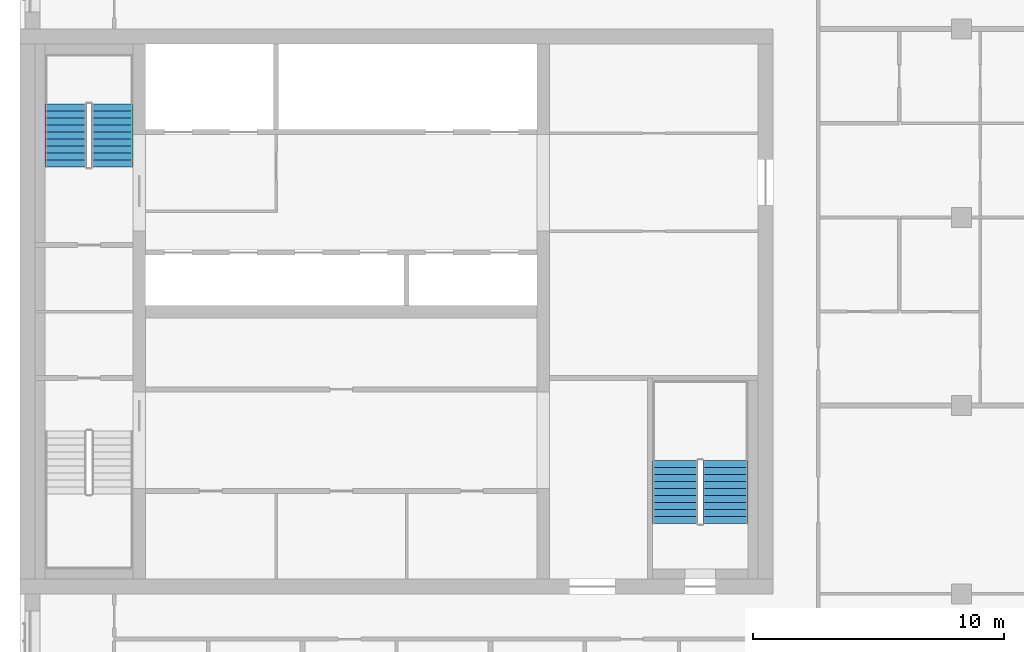
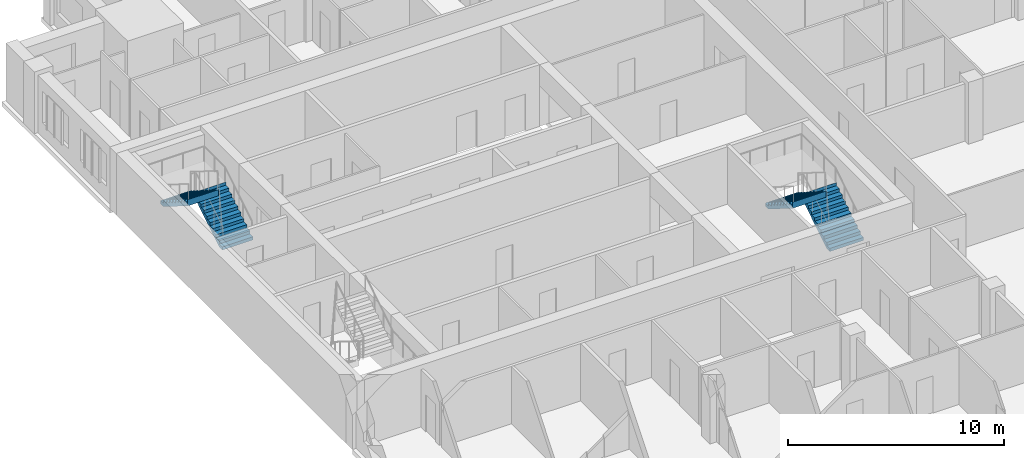
# One storey, part 9 of 10: 4 stair flights, 2 elements without a shape of their own.
"""IFC4 building model written with IfcOpenShell, lengths in metres."""

from ifc_helpers import new_model, si_unit, direction, frame, origin, place, context, subcontext, project, spatial, polyline, outline, extrude, material, type_object, element, aggregate, save


model = new_model("IFC4")

# Units and contexts
model_context = context("Model", 3, precision=1e-05, world=origin(), true_north=direction((0.0, 1.0)))
body_context = subcontext(model_context, "Body", "Model", "MODEL_VIEW")
ifc_project = project(units=[si_unit("LENGTHUNIT", "METRE"), si_unit("AREAUNIT", "SQUARE_METRE"), si_unit("VOLUMEUNIT", "CUBIC_METRE"), si_unit("PLANEANGLEUNIT", "RADIAN"), si_unit("MASSUNIT", "GRAM", prefix="KILO")], contexts=[model_context])

# Site, building, storey
site_placement = place(None, origin())
site = spatial("IfcSite", under=ifc_project, at=site_placement, CompositionType="ELEMENT")
building_placement = place(site_placement, origin())
building = spatial("IfcBuilding", under=site, at=building_placement, Name="Tamorin Gate", CompositionType="ELEMENT")
storey_placement = place(building_placement, frame((0.0, 0.0, 251.199951171875)))
storey = spatial("IfcBuildingStorey", under=building, at=storey_placement, Name="L63", CompositionType="ELEMENT", Elevation=251.199951171875)

# Stair, stair flights
ifc_material = material(Name="Concrete C40/50", Category="concrete")
stair_type = type_object("IfcStairType", Name="Exit stair", PredefinedType="HALF_TURN_STAIR", material=ifc_material)
stair_1_placement = place(storey_placement, origin())
stair_1 = element("IfcStair", 1, at=stair_1_placement, inside=storey, type_object=stair_type, Name="L63 stair ST2", PredefinedType="HALF_TURN_STAIR")
stair_flight_type = type_object("IfcStairFlightType", Name="Exit stair flight", PredefinedType="STRAIGHT", material=ifc_material)
stair_flight_1_placement = place(storey_placement, frame((33.675048828125, 77.0, 0.0), z_axis=(0.0, 0.0, 1.0), x_axis=(0.0, 1.0, 0.0)))
stair_flight_1 = element("IfcStairFlight", 2, at=stair_flight_1_placement, type_object=stair_flight_type, Name="ST2 flight 1", NumberOfRisers=10, NumberOfTreads=9, PredefinedType="STRAIGHT", RiserHeight=0.175, TreadLength=0.28, context=body_context, shape_type="SweptSolid", body=[
    extrude(outline(polyline([(-0.00048828125, 0.0), (-0.00048828125, 0.001708984375), (-0.00048828125, 0.00341796875), (-0.00048828125, 0.005126953125), (-0.00048828125, 0.0068359375), (-0.00048828125, 0.008544921875), (-0.00048828125, 0.010498046875), (-0.00048828125, 0.01220703125), (-0.00048828125, 0.013916015625), (-0.00048828125, 0.015625), (-0.00048828125, 0.017333984375), (-0.00048828125, 0.01904296875), (-0.00048828125, 0.020751953125), (-0.00048828125, 0.0224609375), (-0.00048828125, 0.024169921875), (-0.00048828125, 0.02587890625), (-0.00048828125, 0.02783203125), (-0.00048828125, 0.029541015625), (-0.00048828125, 0.03125), (-0.00048828125, 0.032958984375), (-0.00048828125, 0.03466796875), (-0.00048828125, 0.036376953125), (-0.00048828125, 0.0380859375), (-0.00048828125, 0.039794921875), (-0.00048828125, 0.04150390625), (-0.00048828125, 0.043212890625), (-0.00048828125, 0.045166015625), (-0.00048828125, 0.046875), (-0.00048828125, 0.048583984375), (-0.00048828125, 0.05029296875), (-0.00048828125, 0.052001953125), (-0.00048828125, 0.0537109375), (-0.00048828125, 0.055419921875), (-0.00048828125, 0.05712890625), (-0.00048828125, 0.058837890625), (-0.00048828125, 0.060546875), (-0.00048828125, 0.062255859375), (-0.00048828125, 0.064208984375), (-0.00048828125, 0.06591796875), (-0.00048828125, 0.067626953125), (-0.00048828125, 0.0693359375), (-0.00048828125, 0.071044921875), (-0.00048828125, 0.07275390625), (-0.00048828125, 0.074462890625), (-0.00048828125, 0.076171875), (-0.00048828125, 0.077880859375), (-0.00048828125, 0.07958984375), (-0.00048828125, 0.08154296875), (-0.00048828125, 0.083251953125), (-0.00048828125, 0.0849609375), (-0.00048828125, 0.086669921875), (-0.00048828125, 0.08837890625), (-0.00048828125, 0.090087890625), (-0.00048828125, 0.091796875), (-0.00048828125, 0.093505859375), (-0.00048828125, 0.09521484375), (-0.00048828125, 0.096923828125), (-0.00048828125, 0.098876953125), (-0.00048828125, 0.1005859375), (-0.00048828125, 0.102294921875), (-0.00048828125, 0.10400390625), (-0.00048828125, 0.105712890625), (-0.00048828125, 0.107421875), (-0.00048828125, 0.109130859375), (-0.00048828125, 0.11083984375), (-0.00048828125, 0.112548828125), (-0.00048828125, 0.1142578125), (-0.00048828125, 0.1162109375), (-0.00048828125, 0.117919921875), (-0.00048828125, 0.11962890625), (-0.00048828125, 0.121337890625), (-0.00048828125, 0.123046875), (-0.00048828125, 0.124755859375), (-0.00048828125, 0.12646484375), (-0.00048828125, 0.128173828125), (-0.00048828125, 0.1298828125), (-0.00048828125, 0.131591796875), (-0.00048828125, 0.13330078125), (-0.00048828125, 0.13525390625), (-0.00048828125, 0.136962890625), (-0.00048828125, 0.138671875), (-0.00048828125, 0.140380859375), (-0.00048828125, 0.14208984375), (-0.00048828125, 0.143798828125), (-0.00048828125, 0.1455078125), (-0.00048828125, 0.147216796875), (-0.00048828125, 0.14892578125), (-0.00048828125, 0.150634765625), (-0.00048828125, 0.152587890625), (-0.00048828125, 0.154296875), (-0.00048828125, 0.156005859375), (-0.00048828125, 0.15771484375), (-0.00048828125, 0.159423828125), (-0.00048828125, 0.1611328125), (-0.00048828125, 0.162841796875), (-0.00048828125, 0.16455078125), (-0.00048828125, 0.166259765625), (-0.00048828125, 0.16796875), (-0.00048828125, 0.169921875), (-0.00048828125, 0.171630859375), (-0.00048828125, 0.17333984375), (-0.00048828125, 0.175048828125), (0.280029296875, 0.175048828125), (0.280029296875, 0.35009765625), (0.56005859375, 0.35009765625), (0.56005859375, 0.52490234375), (0.840087890625, 0.52490234375), (0.840087890625, 0.699951171875), (1.1201171875, 0.699951171875), (1.1201171875, 0.875), (1.39990234375, 0.875), (1.39990234375, 1.050048828125), (1.679931640625, 1.050048828125), (1.679931640625, 1.22509765625), (1.9599609375, 1.22509765625), (1.9599609375, 1.39990234375), (2.239990234375, 1.39990234375), (2.239990234375, 1.574951171875), (2.52001953125, 1.574951171875), (2.52001953125, 1.75), (2.5205078125, 1.75), (2.5205078125, 1.74658203125), (2.5205078125, 1.742919921875), (2.5205078125, 1.739501953125), (2.5205078125, 1.736083984375), (2.5205078125, 1.732666015625), (2.5205078125, 1.72900390625), (2.5205078125, 1.7255859375), (2.5205078125, 1.72216796875), (2.5205078125, 1.71875), (2.5205078125, 1.715087890625), (2.5205078125, 1.711669921875), (2.5205078125, 1.708251953125), (2.5205078125, 1.704833984375), (2.5205078125, 1.701171875), (2.5205078125, 1.69775390625), (2.5205078125, 1.6943359375), (2.5205078125, 1.690673828125), (2.5205078125, 1.687255859375), (2.5205078125, 1.683837890625), (2.5205078125, 1.680419921875), (2.5205078125, 1.6767578125), (2.5205078125, 1.67333984375), (2.5205078125, 1.669921875), (2.5205078125, 1.66650390625), (2.5205078125, 1.662841796875), (2.5205078125, 1.659423828125), (2.5205078125, 1.656005859375), (2.5205078125, 1.652587890625), (2.5205078125, 1.64892578125), (2.5205078125, 1.6455078125), (2.5205078125, 1.64208984375), (2.5205078125, 1.638427734375), (2.5205078125, 1.635009765625), (2.5205078125, 1.631591796875), (2.5205078125, 1.628173828125), (2.5205078125, 1.62451171875), (2.5205078125, 1.62109375), (2.5205078125, 1.61767578125), (2.5205078125, 1.6142578125), (2.5205078125, 1.610595703125), (2.5205078125, 1.607177734375), (2.5205078125, 1.603759765625), (2.5205078125, 1.600341796875), (2.5205078125, 1.5966796875), (2.5205078125, 1.59326171875), (2.5205078125, 1.58984375), (2.5205078125, 1.58642578125), (2.5205078125, 1.582763671875), (2.5205078125, 1.579345703125), (2.5205078125, 1.575927734375), (2.5205078125, 1.572265625), (2.5205078125, 1.56884765625), (2.5205078125, 1.5654296875), (2.5205078125, 1.56201171875), (2.5205078125, 1.558349609375), (2.5205078125, 1.554931640625), (2.5205078125, 1.551513671875), (2.5205078125, 1.548095703125), (2.5205078125, 1.54443359375), (2.5205078125, 1.541015625), (2.5205078125, 1.53759765625), (2.5205078125, 1.5341796875), (2.5205078125, 1.530517578125), (2.5205078125, 1.527099609375), (2.5205078125, 1.523681640625), (2.5205078125, 1.52001953125), (2.5205078125, 1.5166015625), (2.5205078125, 1.51318359375), (2.5205078125, 1.509765625), (2.5205078125, 1.506103515625), (2.5205078125, 1.502685546875), (2.5205078125, 1.499267578125), (2.5205078125, 1.495849609375), (2.5205078125, 1.4921875), (2.5205078125, 1.48876953125), (2.5205078125, 1.4853515625), (2.5205078125, 1.48193359375), (2.5205078125, 1.478271484375), (2.5205078125, 1.474853515625), (2.5205078125, 1.471435546875), (2.5205078125, 1.4677734375), (2.5205078125, 1.46435546875), (2.5205078125, 1.4609375), (2.5205078125, 1.45751953125), (2.5205078125, 1.453857421875), (2.5205078125, 1.450439453125), (2.5205078125, 1.447021484375), (2.5205078125, 1.443603515625), (2.5205078125, 1.43994140625), (2.5205078125, 1.4365234375), (2.5205078125, 1.43310546875), (2.5205078125, 1.4296875), (2.5205078125, 1.426025390625), (2.5205078125, 1.422607421875), (2.5205078125, 1.419189453125), (2.5205078125, 1.41552734375), (2.5205078125, 1.412109375), (2.5205078125, 1.40869140625), (2.5205078125, 1.4052734375), (2.5205078125, 1.401611328125), (2.5205078125, 1.398193359375), (2.52001953125, 1.398193359375), (0.28271484375, 0.0), (-0.00048828125, 0.0)])), frame((0.0, 0.824951171875, 0.0), z_axis=(0.0, -1.0, 0.0), x_axis=(1.0, 0.0, 0.0)), (0.0, 0.0, 1.0), 1.64990234375),
])
stair_flight_2_placement = place(storey_placement, frame((31.824951171875, 79.52001953125, 1.75), z_axis=(0.0, 0.0, 1.0), x_axis=(0.0, -1.0, 0.0)))
stair_flight_2 = element("IfcStairFlight", 3, at=stair_flight_2_placement, type_object=stair_flight_type, Name="ST2 flight 2", NumberOfRisers=10, NumberOfTreads=9, PredefinedType="STRAIGHT", RiserHeight=0.175, TreadLength=0.28, context=body_context, shape_type="SweptSolid", body=[
    extrude(outline(polyline([(-0.00048828125, 0.0), (-0.00048828125, 0.001708984375), (-0.00048828125, 0.00341796875), (-0.00048828125, 0.005126953125), (-0.00048828125, 0.0068359375), (-0.00048828125, 0.008544921875), (-0.00048828125, 0.010498046875), (-0.00048828125, 0.01220703125), (-0.00048828125, 0.013916015625), (-0.00048828125, 0.015625), (-0.00048828125, 0.017333984375), (-0.00048828125, 0.01904296875), (-0.00048828125, 0.020751953125), (-0.00048828125, 0.0224609375), (-0.00048828125, 0.024169921875), (-0.00048828125, 0.02587890625), (-0.00048828125, 0.02783203125), (-0.00048828125, 0.029541015625), (-0.00048828125, 0.03125), (-0.00048828125, 0.032958984375), (-0.00048828125, 0.03466796875), (-0.00048828125, 0.036376953125), (-0.00048828125, 0.0380859375), (-0.00048828125, 0.039794921875), (-0.00048828125, 0.04150390625), (-0.00048828125, 0.043212890625), (-0.00048828125, 0.045166015625), (-0.00048828125, 0.046875), (-0.00048828125, 0.048583984375), (-0.00048828125, 0.05029296875), (-0.00048828125, 0.052001953125), (-0.00048828125, 0.0537109375), (-0.00048828125, 0.055419921875), (-0.00048828125, 0.05712890625), (-0.00048828125, 0.058837890625), (-0.00048828125, 0.060546875), (-0.00048828125, 0.062255859375), (-0.00048828125, 0.064208984375), (-0.00048828125, 0.06591796875), (-0.00048828125, 0.067626953125), (-0.00048828125, 0.0693359375), (-0.00048828125, 0.071044921875), (-0.00048828125, 0.07275390625), (-0.00048828125, 0.074462890625), (-0.00048828125, 0.076171875), (-0.00048828125, 0.077880859375), (-0.00048828125, 0.07958984375), (-0.00048828125, 0.08154296875), (-0.00048828125, 0.083251953125), (-0.00048828125, 0.0849609375), (-0.00048828125, 0.086669921875), (-0.00048828125, 0.08837890625), (-0.00048828125, 0.090087890625), (-0.00048828125, 0.091796875), (-0.00048828125, 0.093505859375), (-0.00048828125, 0.09521484375), (-0.00048828125, 0.096923828125), (-0.00048828125, 0.098876953125), (-0.00048828125, 0.1005859375), (-0.00048828125, 0.102294921875), (-0.00048828125, 0.10400390625), (-0.00048828125, 0.105712890625), (-0.00048828125, 0.107421875), (-0.00048828125, 0.109130859375), (-0.00048828125, 0.11083984375), (-0.00048828125, 0.112548828125), (-0.00048828125, 0.1142578125), (-0.00048828125, 0.1162109375), (-0.00048828125, 0.117919921875), (-0.00048828125, 0.11962890625), (-0.00048828125, 0.121337890625), (-0.00048828125, 0.123046875), (-0.00048828125, 0.124755859375), (-0.00048828125, 0.12646484375), (-0.00048828125, 0.128173828125), (-0.00048828125, 0.1298828125), (-0.00048828125, 0.131591796875), (-0.00048828125, 0.13330078125), (-0.00048828125, 0.13525390625), (-0.00048828125, 0.136962890625), (-0.00048828125, 0.138671875), (-0.00048828125, 0.140380859375), (-0.00048828125, 0.14208984375), (-0.00048828125, 0.143798828125), (-0.00048828125, 0.1455078125), (-0.00048828125, 0.147216796875), (-0.00048828125, 0.14892578125), (-0.00048828125, 0.150634765625), (-0.00048828125, 0.152587890625), (-0.00048828125, 0.154296875), (-0.00048828125, 0.156005859375), (-0.00048828125, 0.15771484375), (-0.00048828125, 0.159423828125), (-0.00048828125, 0.1611328125), (-0.00048828125, 0.162841796875), (-0.00048828125, 0.16455078125), (-0.00048828125, 0.166259765625), (-0.00048828125, 0.16796875), (-0.00048828125, 0.169921875), (-0.00048828125, 0.171630859375), (-0.00048828125, 0.17333984375), (-0.00048828125, 0.175048828125), (0.280029296875, 0.175048828125), (0.280029296875, 0.35009765625), (0.56005859375, 0.35009765625), (0.56005859375, 0.52490234375), (0.840087890625, 0.52490234375), (0.840087890625, 0.699951171875), (1.1201171875, 0.699951171875), (1.1201171875, 0.875), (1.39990234375, 0.875), (1.39990234375, 1.050048828125), (1.679931640625, 1.050048828125), (1.679931640625, 1.22509765625), (1.9599609375, 1.22509765625), (1.9599609375, 1.39990234375), (2.239990234375, 1.39990234375), (2.239990234375, 1.574951171875), (2.52001953125, 1.574951171875), (2.52001953125, 1.75), (2.5205078125, 1.75), (2.5205078125, 1.74658203125), (2.5205078125, 1.742919921875), (2.5205078125, 1.739501953125), (2.5205078125, 1.736083984375), (2.5205078125, 1.732666015625), (2.5205078125, 1.72900390625), (2.5205078125, 1.7255859375), (2.5205078125, 1.72216796875), (2.5205078125, 1.71875), (2.5205078125, 1.715087890625), (2.5205078125, 1.711669921875), (2.5205078125, 1.708251953125), (2.5205078125, 1.704833984375), (2.5205078125, 1.701171875), (2.5205078125, 1.69775390625), (2.5205078125, 1.6943359375), (2.5205078125, 1.690673828125), (2.5205078125, 1.687255859375), (2.5205078125, 1.683837890625), (2.5205078125, 1.680419921875), (2.5205078125, 1.6767578125), (2.5205078125, 1.67333984375), (2.5205078125, 1.669921875), (2.5205078125, 1.66650390625), (2.5205078125, 1.662841796875), (2.5205078125, 1.659423828125), (2.5205078125, 1.656005859375), (2.5205078125, 1.652587890625), (2.5205078125, 1.64892578125), (2.5205078125, 1.6455078125), (2.5205078125, 1.64208984375), (2.5205078125, 1.638427734375), (2.5205078125, 1.635009765625), (2.5205078125, 1.631591796875), (2.5205078125, 1.628173828125), (2.5205078125, 1.62451171875), (2.5205078125, 1.62109375), (2.5205078125, 1.61767578125), (2.5205078125, 1.6142578125), (2.5205078125, 1.610595703125), (2.5205078125, 1.607177734375), (2.5205078125, 1.603759765625), (2.5205078125, 1.600341796875), (2.5205078125, 1.5966796875), (2.5205078125, 1.59326171875), (2.5205078125, 1.58984375), (2.5205078125, 1.58642578125), (2.5205078125, 1.582763671875), (2.5205078125, 1.579345703125), (2.5205078125, 1.575927734375), (2.5205078125, 1.572265625), (2.5205078125, 1.56884765625), (2.5205078125, 1.5654296875), (2.5205078125, 1.56201171875), (2.5205078125, 1.558349609375), (2.5205078125, 1.554931640625), (2.5205078125, 1.551513671875), (2.5205078125, 1.548095703125), (2.5205078125, 1.54443359375), (2.5205078125, 1.541015625), (2.5205078125, 1.53759765625), (2.5205078125, 1.5341796875), (2.5205078125, 1.530517578125), (2.5205078125, 1.527099609375), (2.5205078125, 1.523681640625), (2.5205078125, 1.52001953125), (2.5205078125, 1.5166015625), (2.5205078125, 1.51318359375), (2.5205078125, 1.509765625), (2.5205078125, 1.506103515625), (2.5205078125, 1.502685546875), (2.5205078125, 1.499267578125), (2.5205078125, 1.495849609375), (2.5205078125, 1.4921875), (2.5205078125, 1.48876953125), (2.5205078125, 1.4853515625), (2.5205078125, 1.48193359375), (2.5205078125, 1.478271484375), (2.5205078125, 1.474853515625), (2.5205078125, 1.471435546875), (2.5205078125, 1.4677734375), (2.5205078125, 1.46435546875), (2.5205078125, 1.4609375), (2.5205078125, 1.45751953125), (2.5205078125, 1.453857421875), (2.5205078125, 1.450439453125), (2.5205078125, 1.447021484375), (2.5205078125, 1.443603515625), (2.5205078125, 1.43994140625), (2.5205078125, 1.4365234375), (2.5205078125, 1.43310546875), (2.5205078125, 1.4296875), (2.5205078125, 1.426025390625), (2.5205078125, 1.422607421875), (2.5205078125, 1.419189453125), (2.5205078125, 1.41552734375), (2.5205078125, 1.412109375), (2.5205078125, 1.40869140625), (2.5205078125, 1.4052734375), (2.5205078125, 1.401611328125), (2.5205078125, 1.398193359375), (2.52001953125, 1.398193359375), (0.28271484375, 0.0), (-0.00048828125, 0.0)])), frame((0.0, 0.824951171875, 0.0), z_axis=(0.0, -1.0, 0.0), x_axis=(1.0, 0.0, 0.0)), (0.0, 0.0, 1.0), 1.64990234375),
])
aggregate(stair_1, [stair_flight_1, stair_flight_2])

stair_2_placement = place(storey_placement, origin())
stair_2 = element("IfcStair", 4, at=stair_2_placement, inside=storey, type_object=stair_type, Name="L63 stair ST3", PredefinedType="HALF_TURN_STAIR")
stair_flight_3_placement = place(storey_placement, frame((58.10009765625, 62.800048828125, 0.0), z_axis=(0.0, 0.0, 1.0), x_axis=(0.0, 1.0, 0.0)))
stair_flight_3 = element("IfcStairFlight", 5, at=stair_flight_3_placement, type_object=stair_flight_type, Name="ST3 flight 1", NumberOfRisers=10, NumberOfTreads=9, PredefinedType="STRAIGHT", RiserHeight=0.175, TreadLength=0.28, context=body_context, shape_type="SweptSolid", body=[
    extrude(outline(polyline([(-0.00048828125, 0.0), (-0.00048828125, 0.001708984375), (-0.00048828125, 0.00341796875), (-0.00048828125, 0.005126953125), (-0.00048828125, 0.0068359375), (-0.00048828125, 0.008544921875), (-0.00048828125, 0.010498046875), (-0.00048828125, 0.01220703125), (-0.00048828125, 0.013916015625), (-0.00048828125, 0.015625), (-0.00048828125, 0.017333984375), (-0.00048828125, 0.01904296875), (-0.00048828125, 0.020751953125), (-0.00048828125, 0.0224609375), (-0.00048828125, 0.024169921875), (-0.00048828125, 0.02587890625), (-0.00048828125, 0.02783203125), (-0.00048828125, 0.029541015625), (-0.00048828125, 0.03125), (-0.00048828125, 0.032958984375), (-0.00048828125, 0.03466796875), (-0.00048828125, 0.036376953125), (-0.00048828125, 0.0380859375), (-0.00048828125, 0.039794921875), (-0.00048828125, 0.04150390625), (-0.00048828125, 0.043212890625), (-0.00048828125, 0.045166015625), (-0.00048828125, 0.046875), (-0.00048828125, 0.048583984375), (-0.00048828125, 0.05029296875), (-0.00048828125, 0.052001953125), (-0.00048828125, 0.0537109375), (-0.00048828125, 0.055419921875), (-0.00048828125, 0.05712890625), (-0.00048828125, 0.058837890625), (-0.00048828125, 0.060546875), (-0.00048828125, 0.062255859375), (-0.00048828125, 0.064208984375), (-0.00048828125, 0.06591796875), (-0.00048828125, 0.067626953125), (-0.00048828125, 0.0693359375), (-0.00048828125, 0.071044921875), (-0.00048828125, 0.07275390625), (-0.00048828125, 0.074462890625), (-0.00048828125, 0.076171875), (-0.00048828125, 0.077880859375), (-0.00048828125, 0.07958984375), (-0.00048828125, 0.08154296875), (-0.00048828125, 0.083251953125), (-0.00048828125, 0.0849609375), (-0.00048828125, 0.086669921875), (-0.00048828125, 0.08837890625), (-0.00048828125, 0.090087890625), (-0.00048828125, 0.091796875), (-0.00048828125, 0.093505859375), (-0.00048828125, 0.09521484375), (-0.00048828125, 0.096923828125), (-0.00048828125, 0.098876953125), (-0.00048828125, 0.1005859375), (-0.00048828125, 0.102294921875), (-0.00048828125, 0.10400390625), (-0.00048828125, 0.105712890625), (-0.00048828125, 0.107421875), (-0.00048828125, 0.109130859375), (-0.00048828125, 0.11083984375), (-0.00048828125, 0.112548828125), (-0.00048828125, 0.1142578125), (-0.00048828125, 0.1162109375), (-0.00048828125, 0.117919921875), (-0.00048828125, 0.11962890625), (-0.00048828125, 0.121337890625), (-0.00048828125, 0.123046875), (-0.00048828125, 0.124755859375), (-0.00048828125, 0.12646484375), (-0.00048828125, 0.128173828125), (-0.00048828125, 0.1298828125), (-0.00048828125, 0.131591796875), (-0.00048828125, 0.13330078125), (-0.00048828125, 0.13525390625), (-0.00048828125, 0.136962890625), (-0.00048828125, 0.138671875), (-0.00048828125, 0.140380859375), (-0.00048828125, 0.14208984375), (-0.00048828125, 0.143798828125), (-0.00048828125, 0.1455078125), (-0.00048828125, 0.147216796875), (-0.00048828125, 0.14892578125), (-0.00048828125, 0.150634765625), (-0.00048828125, 0.152587890625), (-0.00048828125, 0.154296875), (-0.00048828125, 0.156005859375), (-0.00048828125, 0.15771484375), (-0.00048828125, 0.159423828125), (-0.00048828125, 0.1611328125), (-0.00048828125, 0.162841796875), (-0.00048828125, 0.16455078125), (-0.00048828125, 0.166259765625), (-0.00048828125, 0.16796875), (-0.00048828125, 0.169921875), (-0.00048828125, 0.171630859375), (-0.00048828125, 0.17333984375), (-0.00048828125, 0.175048828125), (0.280029296875, 0.175048828125), (0.280029296875, 0.35009765625), (0.56005859375, 0.35009765625), (0.56005859375, 0.52490234375), (0.840087890625, 0.52490234375), (0.840087890625, 0.699951171875), (1.1201171875, 0.699951171875), (1.1201171875, 0.875), (1.39990234375, 0.875), (1.39990234375, 1.050048828125), (1.679931640625, 1.050048828125), (1.679931640625, 1.22509765625), (1.9599609375, 1.22509765625), (1.9599609375, 1.39990234375), (2.239990234375, 1.39990234375), (2.239990234375, 1.574951171875), (2.52001953125, 1.574951171875), (2.52001953125, 1.75), (2.5205078125, 1.75), (2.5205078125, 1.74658203125), (2.5205078125, 1.742919921875), (2.5205078125, 1.739501953125), (2.5205078125, 1.736083984375), (2.5205078125, 1.732666015625), (2.5205078125, 1.72900390625), (2.5205078125, 1.7255859375), (2.5205078125, 1.72216796875), (2.5205078125, 1.71875), (2.5205078125, 1.715087890625), (2.5205078125, 1.711669921875), (2.5205078125, 1.708251953125), (2.5205078125, 1.704833984375), (2.5205078125, 1.701171875), (2.5205078125, 1.69775390625), (2.5205078125, 1.6943359375), (2.5205078125, 1.690673828125), (2.5205078125, 1.687255859375), (2.5205078125, 1.683837890625), (2.5205078125, 1.680419921875), (2.5205078125, 1.6767578125), (2.5205078125, 1.67333984375), (2.5205078125, 1.669921875), (2.5205078125, 1.66650390625), (2.5205078125, 1.662841796875), (2.5205078125, 1.659423828125), (2.5205078125, 1.656005859375), (2.5205078125, 1.652587890625), (2.5205078125, 1.64892578125), (2.5205078125, 1.6455078125), (2.5205078125, 1.64208984375), (2.5205078125, 1.638427734375), (2.5205078125, 1.635009765625), (2.5205078125, 1.631591796875), (2.5205078125, 1.628173828125), (2.5205078125, 1.62451171875), (2.5205078125, 1.62109375), (2.5205078125, 1.61767578125), (2.5205078125, 1.6142578125), (2.5205078125, 1.610595703125), (2.5205078125, 1.607177734375), (2.5205078125, 1.603759765625), (2.5205078125, 1.600341796875), (2.5205078125, 1.5966796875), (2.5205078125, 1.59326171875), (2.5205078125, 1.58984375), (2.5205078125, 1.58642578125), (2.5205078125, 1.582763671875), (2.5205078125, 1.579345703125), (2.5205078125, 1.575927734375), (2.5205078125, 1.572265625), (2.5205078125, 1.56884765625), (2.5205078125, 1.5654296875), (2.5205078125, 1.56201171875), (2.5205078125, 1.558349609375), (2.5205078125, 1.554931640625), (2.5205078125, 1.551513671875), (2.5205078125, 1.548095703125), (2.5205078125, 1.54443359375), (2.5205078125, 1.541015625), (2.5205078125, 1.53759765625), (2.5205078125, 1.5341796875), (2.5205078125, 1.530517578125), (2.5205078125, 1.527099609375), (2.5205078125, 1.523681640625), (2.5205078125, 1.52001953125), (2.5205078125, 1.5166015625), (2.5205078125, 1.51318359375), (2.5205078125, 1.509765625), (2.5205078125, 1.506103515625), (2.5205078125, 1.502685546875), (2.5205078125, 1.499267578125), (2.5205078125, 1.495849609375), (2.5205078125, 1.4921875), (2.5205078125, 1.48876953125), (2.5205078125, 1.4853515625), (2.5205078125, 1.48193359375), (2.5205078125, 1.478271484375), (2.5205078125, 1.474853515625), (2.5205078125, 1.471435546875), (2.5205078125, 1.4677734375), (2.5205078125, 1.46435546875), (2.5205078125, 1.4609375), (2.5205078125, 1.45751953125), (2.5205078125, 1.453857421875), (2.5205078125, 1.450439453125), (2.5205078125, 1.447021484375), (2.5205078125, 1.443603515625), (2.5205078125, 1.43994140625), (2.5205078125, 1.4365234375), (2.5205078125, 1.43310546875), (2.5205078125, 1.4296875), (2.5205078125, 1.426025390625), (2.5205078125, 1.422607421875), (2.5205078125, 1.419189453125), (2.5205078125, 1.41552734375), (2.5205078125, 1.412109375), (2.5205078125, 1.40869140625), (2.5205078125, 1.4052734375), (2.5205078125, 1.401611328125), (2.5205078125, 1.398193359375), (2.52001953125, 1.398193359375), (0.28271484375, 0.0), (-0.00048828125, 0.0)])), frame((0.0, 0.89990234375, 0.0), z_axis=(0.0, -1.0, 0.0), x_axis=(1.0, 0.0, 0.0)), (0.0, 0.0, 1.0), 1.800048828125),
])
stair_flight_4_placement = place(storey_placement, frame((56.10009765625, 65.320068359375, 1.75), z_axis=(0.0, 0.0, 1.0), x_axis=(0.0, -1.0, 0.0)))
stair_flight_4 = element("IfcStairFlight", 6, at=stair_flight_4_placement, type_object=stair_flight_type, Name="ST3 flight 2", NumberOfRisers=10, NumberOfTreads=9, PredefinedType="STRAIGHT", RiserHeight=0.175, TreadLength=0.28, context=body_context, shape_type="SweptSolid", body=[
    extrude(outline(polyline([(-0.00048828125, 0.0), (-0.00048828125, 0.001708984375), (-0.00048828125, 0.00341796875), (-0.00048828125, 0.005126953125), (-0.00048828125, 0.0068359375), (-0.00048828125, 0.008544921875), (-0.00048828125, 0.010498046875), (-0.00048828125, 0.01220703125), (-0.00048828125, 0.013916015625), (-0.00048828125, 0.015625), (-0.00048828125, 0.017333984375), (-0.00048828125, 0.01904296875), (-0.00048828125, 0.020751953125), (-0.00048828125, 0.0224609375), (-0.00048828125, 0.024169921875), (-0.00048828125, 0.02587890625), (-0.00048828125, 0.02783203125), (-0.00048828125, 0.029541015625), (-0.00048828125, 0.03125), (-0.00048828125, 0.032958984375), (-0.00048828125, 0.03466796875), (-0.00048828125, 0.036376953125), (-0.00048828125, 0.0380859375), (-0.00048828125, 0.039794921875), (-0.00048828125, 0.04150390625), (-0.00048828125, 0.043212890625), (-0.00048828125, 0.045166015625), (-0.00048828125, 0.046875), (-0.00048828125, 0.048583984375), (-0.00048828125, 0.05029296875), (-0.00048828125, 0.052001953125), (-0.00048828125, 0.0537109375), (-0.00048828125, 0.055419921875), (-0.00048828125, 0.05712890625), (-0.00048828125, 0.058837890625), (-0.00048828125, 0.060546875), (-0.00048828125, 0.062255859375), (-0.00048828125, 0.064208984375), (-0.00048828125, 0.06591796875), (-0.00048828125, 0.067626953125), (-0.00048828125, 0.0693359375), (-0.00048828125, 0.071044921875), (-0.00048828125, 0.07275390625), (-0.00048828125, 0.074462890625), (-0.00048828125, 0.076171875), (-0.00048828125, 0.077880859375), (-0.00048828125, 0.07958984375), (-0.00048828125, 0.08154296875), (-0.00048828125, 0.083251953125), (-0.00048828125, 0.0849609375), (-0.00048828125, 0.086669921875), (-0.00048828125, 0.08837890625), (-0.00048828125, 0.090087890625), (-0.00048828125, 0.091796875), (-0.00048828125, 0.093505859375), (-0.00048828125, 0.09521484375), (-0.00048828125, 0.096923828125), (-0.00048828125, 0.098876953125), (-0.00048828125, 0.1005859375), (-0.00048828125, 0.102294921875), (-0.00048828125, 0.10400390625), (-0.00048828125, 0.105712890625), (-0.00048828125, 0.107421875), (-0.00048828125, 0.109130859375), (-0.00048828125, 0.11083984375), (-0.00048828125, 0.112548828125), (-0.00048828125, 0.1142578125), (-0.00048828125, 0.1162109375), (-0.00048828125, 0.117919921875), (-0.00048828125, 0.11962890625), (-0.00048828125, 0.121337890625), (-0.00048828125, 0.123046875), (-0.00048828125, 0.124755859375), (-0.00048828125, 0.12646484375), (-0.00048828125, 0.128173828125), (-0.00048828125, 0.1298828125), (-0.00048828125, 0.131591796875), (-0.00048828125, 0.13330078125), (-0.00048828125, 0.13525390625), (-0.00048828125, 0.136962890625), (-0.00048828125, 0.138671875), (-0.00048828125, 0.140380859375), (-0.00048828125, 0.14208984375), (-0.00048828125, 0.143798828125), (-0.00048828125, 0.1455078125), (-0.00048828125, 0.147216796875), (-0.00048828125, 0.14892578125), (-0.00048828125, 0.150634765625), (-0.00048828125, 0.152587890625), (-0.00048828125, 0.154296875), (-0.00048828125, 0.156005859375), (-0.00048828125, 0.15771484375), (-0.00048828125, 0.159423828125), (-0.00048828125, 0.1611328125), (-0.00048828125, 0.162841796875), (-0.00048828125, 0.16455078125), (-0.00048828125, 0.166259765625), (-0.00048828125, 0.16796875), (-0.00048828125, 0.169921875), (-0.00048828125, 0.171630859375), (-0.00048828125, 0.17333984375), (-0.00048828125, 0.175048828125), (0.280029296875, 0.175048828125), (0.280029296875, 0.35009765625), (0.56005859375, 0.35009765625), (0.56005859375, 0.52490234375), (0.840087890625, 0.52490234375), (0.840087890625, 0.699951171875), (1.1201171875, 0.699951171875), (1.1201171875, 0.875), (1.39990234375, 0.875), (1.39990234375, 1.050048828125), (1.679931640625, 1.050048828125), (1.679931640625, 1.22509765625), (1.9599609375, 1.22509765625), (1.9599609375, 1.39990234375), (2.239990234375, 1.39990234375), (2.239990234375, 1.574951171875), (2.52001953125, 1.574951171875), (2.52001953125, 1.75), (2.5205078125, 1.75), (2.5205078125, 1.74658203125), (2.5205078125, 1.742919921875), (2.5205078125, 1.739501953125), (2.5205078125, 1.736083984375), (2.5205078125, 1.732666015625), (2.5205078125, 1.72900390625), (2.5205078125, 1.7255859375), (2.5205078125, 1.72216796875), (2.5205078125, 1.71875), (2.5205078125, 1.715087890625), (2.5205078125, 1.711669921875), (2.5205078125, 1.708251953125), (2.5205078125, 1.704833984375), (2.5205078125, 1.701171875), (2.5205078125, 1.69775390625), (2.5205078125, 1.6943359375), (2.5205078125, 1.690673828125), (2.5205078125, 1.687255859375), (2.5205078125, 1.683837890625), (2.5205078125, 1.680419921875), (2.5205078125, 1.6767578125), (2.5205078125, 1.67333984375), (2.5205078125, 1.669921875), (2.5205078125, 1.66650390625), (2.5205078125, 1.662841796875), (2.5205078125, 1.659423828125), (2.5205078125, 1.656005859375), (2.5205078125, 1.652587890625), (2.5205078125, 1.64892578125), (2.5205078125, 1.6455078125), (2.5205078125, 1.64208984375), (2.5205078125, 1.638427734375), (2.5205078125, 1.635009765625), (2.5205078125, 1.631591796875), (2.5205078125, 1.628173828125), (2.5205078125, 1.62451171875), (2.5205078125, 1.62109375), (2.5205078125, 1.61767578125), (2.5205078125, 1.6142578125), (2.5205078125, 1.610595703125), (2.5205078125, 1.607177734375), (2.5205078125, 1.603759765625), (2.5205078125, 1.600341796875), (2.5205078125, 1.5966796875), (2.5205078125, 1.59326171875), (2.5205078125, 1.58984375), (2.5205078125, 1.58642578125), (2.5205078125, 1.582763671875), (2.5205078125, 1.579345703125), (2.5205078125, 1.575927734375), (2.5205078125, 1.572265625), (2.5205078125, 1.56884765625), (2.5205078125, 1.5654296875), (2.5205078125, 1.56201171875), (2.5205078125, 1.558349609375), (2.5205078125, 1.554931640625), (2.5205078125, 1.551513671875), (2.5205078125, 1.548095703125), (2.5205078125, 1.54443359375), (2.5205078125, 1.541015625), (2.5205078125, 1.53759765625), (2.5205078125, 1.5341796875), (2.5205078125, 1.530517578125), (2.5205078125, 1.527099609375), (2.5205078125, 1.523681640625), (2.5205078125, 1.52001953125), (2.5205078125, 1.5166015625), (2.5205078125, 1.51318359375), (2.5205078125, 1.509765625), (2.5205078125, 1.506103515625), (2.5205078125, 1.502685546875), (2.5205078125, 1.499267578125), (2.5205078125, 1.495849609375), (2.5205078125, 1.4921875), (2.5205078125, 1.48876953125), (2.5205078125, 1.4853515625), (2.5205078125, 1.48193359375), (2.5205078125, 1.478271484375), (2.5205078125, 1.474853515625), (2.5205078125, 1.471435546875), (2.5205078125, 1.4677734375), (2.5205078125, 1.46435546875), (2.5205078125, 1.4609375), (2.5205078125, 1.45751953125), (2.5205078125, 1.453857421875), (2.5205078125, 1.450439453125), (2.5205078125, 1.447021484375), (2.5205078125, 1.443603515625), (2.5205078125, 1.43994140625), (2.5205078125, 1.4365234375), (2.5205078125, 1.43310546875), (2.5205078125, 1.4296875), (2.5205078125, 1.426025390625), (2.5205078125, 1.422607421875), (2.5205078125, 1.419189453125), (2.5205078125, 1.41552734375), (2.5205078125, 1.412109375), (2.5205078125, 1.40869140625), (2.5205078125, 1.4052734375), (2.5205078125, 1.401611328125), (2.5205078125, 1.398193359375), (2.52001953125, 1.398193359375), (0.28271484375, 0.0), (-0.00048828125, 0.0)])), frame((0.0, 0.89990234375, 0.0), z_axis=(0.0, -1.0, 0.0), x_axis=(1.0, 0.0, 0.0)), (0.0, 0.0, 1.0), 1.800048828125),
])
aggregate(stair_2, [stair_flight_3, stair_flight_4])

save(model, "model.ifc")
